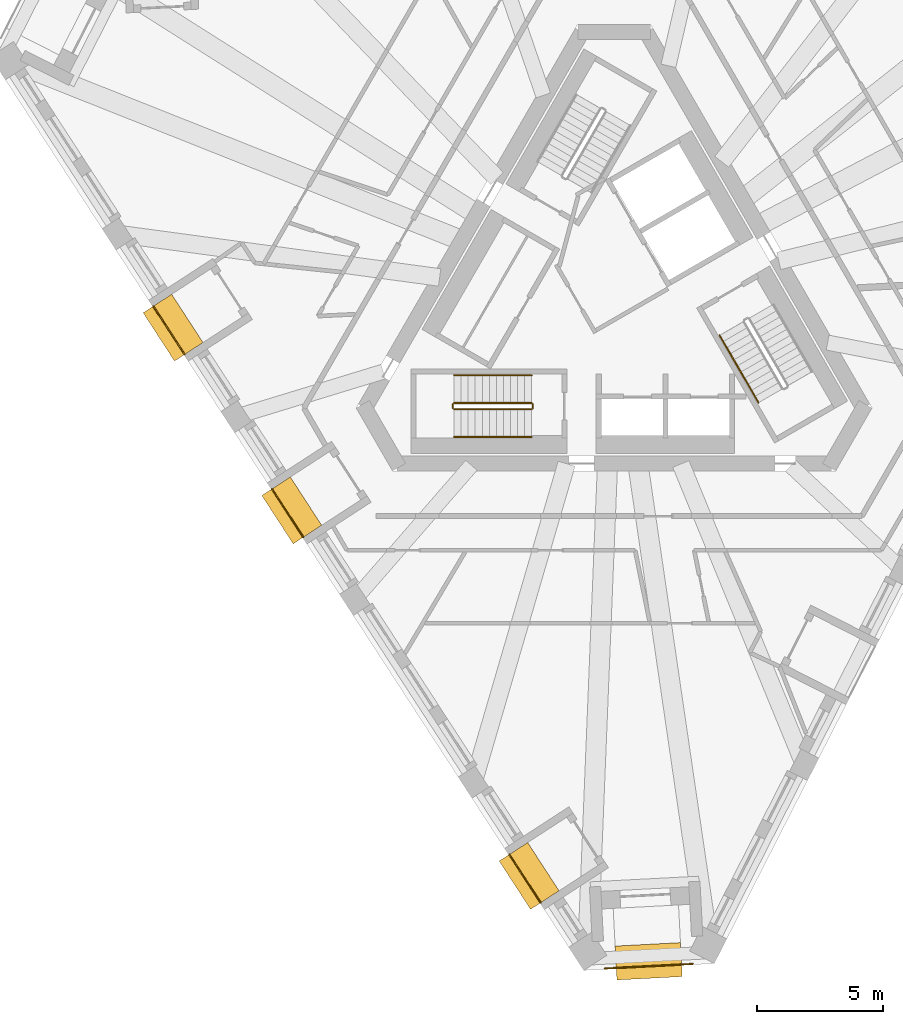
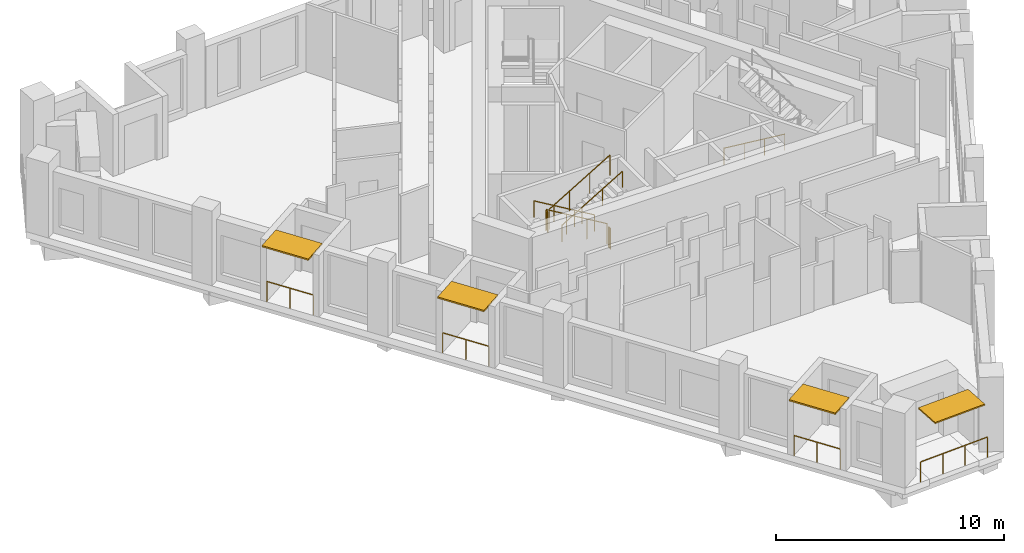
# One storey, part 9 of 12: 11 railings, 4 shading devices.
"""IFC4 building model written with IfcOpenShell, lengths in metres."""

from ifc_helpers import new_model, si_unit, direction, frame, origin, origin_2d, place, context, subcontext, project, spatial, rectangle, circle, extrude, material, layer, layer_set, type_object, element, save


model = new_model("IFC4")

# Units and contexts
model_context = context("Model", 3, precision=1e-05, world=origin(), true_north=direction((0.0, 1.0)))
body_context = subcontext(model_context, "Body", "Model", "MODEL_VIEW")
ifc_project = project(units=[si_unit("LENGTHUNIT", "METRE"), si_unit("AREAUNIT", "SQUARE_METRE"), si_unit("VOLUMEUNIT", "CUBIC_METRE"), si_unit("PLANEANGLEUNIT", "RADIAN"), si_unit("MASSUNIT", "GRAM", prefix="KILO")], contexts=[model_context])

# Site, building, storey
site_placement = place(None, origin())
site = spatial("IfcSite", under=ifc_project, at=site_placement, CompositionType="ELEMENT")
building_placement = place(site_placement, origin())
building = spatial("IfcBuilding", under=site, at=building_placement, Name="Tramontana Tower", CompositionType="ELEMENT")
storey_placement = place(building_placement, frame((0.0, 0.0, 302.39990234375)))
storey = spatial("IfcBuildingStorey", under=building, at=storey_placement, Name="L71", CompositionType="ELEMENT", Elevation=302.39990234375)

# Railings
ifc_material_1 = material(Name="Laminated glass balustrade", Category="glass")
railing_type_1 = type_object("IfcRailingType", Name="GD1 Loggia glass balustrade 1100", PredefinedType="BALUSTRADE", material=ifc_material_1)
railing_1_placement = place(storey_placement, frame((-18.313720703125, -0.20361328125, 0.0)))
element("IfcRailing", 1, at=railing_1_placement, inside=storey, type_object=railing_type_1, Name="Loggia balustrade L71 G7S0.4", PredefinedType="BALUSTRADE", context=body_context, shape_type="SweptSolid", body=[
    extrude(circle(Radius=0.02392578125, at=origin_2d()), frame((0.0, 0.0, 1.076171875), z_axis=(0.544706869801, -0.83862651162, 0.0), x_axis=(0.83862651162, 0.544706869801, 0.0)), (0.0, 0.0, 1.0), 2.286865234375),
    extrude(circle(Radius=0.02099609375, at=origin_2d()), origin(), (0.0, 0.0, 1.0), 1.052001953125),
    extrude(circle(Radius=0.02099609375, at=origin_2d()), frame((0.622802734375, -0.958984375, 0.0)), (0.0, 0.0, 1.0), 1.052001953125),
    extrude(circle(Radius=0.02099609375, at=origin_2d()), frame((1.24560546875, -1.917724609375, 0.0)), (0.0, 0.0, 1.0), 1.052001953125),
])
railing_2_placement = place(storey_placement, frame((-13.596923828125, -7.466552734375, 0.0)))
element("IfcRailing", 2, at=railing_2_placement, inside=storey, type_object=railing_type_1, Name="Loggia balustrade L71 G7S0.7", PredefinedType="BALUSTRADE", context=body_context, shape_type="SweptSolid", body=[
    extrude(circle(Radius=0.02392578125, at=origin_2d()), frame((0.0, 0.0, 1.076171875), z_axis=(0.544583011522, -0.838706947367, 0.0), x_axis=(0.838706947367, 0.544583011522, 0.0)), (0.0, 0.0, 1.0), 2.286865234375),
    extrude(circle(Radius=0.02099609375, at=origin_2d()), origin(), (0.0, 0.0, 1.0), 1.052001953125),
    extrude(circle(Radius=0.02099609375, at=origin_2d()), frame((0.62255859375, -0.958984375, 0.0)), (0.0, 0.0, 1.0), 1.052001953125),
    extrude(circle(Radius=0.02099609375, at=origin_2d()), frame((1.245361328125, -1.91796875, 0.0)), (0.0, 0.0, 1.0), 1.052001953125),
])
railing_3_placement = place(storey_placement, frame((-4.16357421875, -21.992919921875, 0.0)))
element("IfcRailing", 3, at=railing_3_placement, inside=storey, type_object=railing_type_1, Name="Loggia balustrade L71 G7S0.13", PredefinedType="BALUSTRADE", context=body_context, shape_type="SweptSolid", body=[
    extrude(circle(Radius=0.02392578125, at=origin_2d()), frame((0.0, 0.0, 1.076171875), z_axis=(0.544706869801, -0.83862651162, 0.0), x_axis=(0.83862651162, 0.544706869801, 0.0)), (0.0, 0.0, 1.0), 2.286865234375),
    extrude(circle(Radius=0.02099609375, at=origin_2d()), origin(), (0.0, 0.0, 1.0), 1.052001953125),
    extrude(circle(Radius=0.02099609375, at=origin_2d()), frame((0.622802734375, -0.958984375, 0.0)), (0.0, 0.0, 1.0), 1.052001953125),
    extrude(circle(Radius=0.02099609375, at=origin_2d()), frame((1.24560546875, -1.917724609375, 0.0)), (0.0, 0.0, 1.0), 1.052001953125),
])
railing_4_placement = place(storey_placement, frame((3.1328125, -26.342041015625, 0.0)))
element("IfcRailing", 4, at=railing_4_placement, inside=storey, type_object=railing_type_1, Name="Corner loggia balustrade L71 K71", PredefinedType="BALUSTRADE", context=body_context, shape_type="SweptSolid", body=[
    extrude(circle(Radius=0.02392578125, at=origin_2d()), frame((0.0, 0.0, 1.076171875), z_axis=(-0.998626871225, -0.0523867547, 0.0), x_axis=(0.0523867547, -0.998626871225, 0.0)), (0.0, 0.0, 1.0), 3.5),
    extrude(circle(Radius=0.02099609375, at=origin_2d()), origin(), (0.0, 0.0, 1.0), 1.052001953125),
    extrude(circle(Radius=0.02099609375, at=origin_2d()), frame((-1.1650390625, -0.06103515625, 0.0)), (0.0, 0.0, 1.0), 1.052001953125),
    extrude(circle(Radius=0.02099609375, at=origin_2d()), frame((-2.330078125, -0.122314453125, 0.0)), (0.0, 0.0, 1.0), 1.052001953125),
    extrude(circle(Radius=0.02099609375, at=origin_2d()), frame((-3.4951171875, -0.183349609375, 0.0)), (0.0, 0.0, 1.0), 1.052001953125),
])

# Shading devices
ifc_material_2 = material(Name="Precast concrete 60 MPa", Category="concrete")
ifc_layer_1 = layer(ifc_material_2, 0.070068359375)
ifc_layer_set_1 = layer_set([ifc_layer_1], Name="SS2 Stone sunshade blade 70")
shading_device_type_1 = type_object("IfcShadingDeviceType", Name="SS2 Stone sunshade blade 70", PredefinedType="USERDEFINED", material=ifc_layer_set_1)
shading_device_placement = place(storey_placement, frame((1.375244140625, -26.239013671875, 3.22998046875), z_axis=(0.0, 0.0, 1.0), x_axis=(-0.998629534755, -0.052335956243, 0.0)))
element("IfcShadingDevice", 5, at=shading_device_placement, inside=storey, type_object=shading_device_type_1, Name="Corner sunshade L71 K71", ObjectType="SUNSHADE", PredefinedType="USERDEFINED", context=body_context, shape_type="SweptSolid", body=[
    extrude(rectangle(XDim=2.60009765625, YDim=1.35009765625, at=origin_2d()), origin(), (0.0, 0.0, 1.0), 0.070068359375),
])
ifc_material_3 = material(Name="Precast concrete 60 MPa", Category="concrete")
ifc_layer_2 = layer(ifc_material_3, 0.080078125)
ifc_layer_set_2 = layer_set([ifc_layer_2], Name="SS3 Stone sunshade blade 80")
shading_device_type_2 = type_object("IfcShadingDeviceType", Name="SS3 Stone sunshade blade 80", PredefinedType="USERDEFINED", material=ifc_layer_set_2)
for number, where, z_axis, x_axis, name in (
    (6, (-17.52734375, -1.05615234375, 3.219970703125), (0.0, 0.0, 1.0), (0.544639035015, -0.838670567945, 0.0), "Sunshade L71 G7S0.4"),
    (7, (-12.810791015625, -8.3193359375, 3.219970703125), (0.0, 0.0, 1.0), (0.544639035015, -0.838670567945, 0.0), "Sunshade L71 G7S0.7"),
    (8, (-3.377197265625, -22.845458984375, 3.219970703125), (0.0, 0.0, 1.0), (0.544639035015, -0.838670567945, 0.0), "Sunshade L71 G7S0.13"),
):
    element("IfcShadingDevice", number, at=place(storey_placement, frame(where, z_axis=z_axis, x_axis=x_axis)), inside=storey, type_object=shading_device_type_2, Name=name, ObjectType="SUNSHADE", PredefinedType="USERDEFINED", context=body_context, shape_type="SweptSolid", body=[
        extrude(rectangle(XDim=2.286865234375, YDim=1.35009765625, at=origin_2d()), origin(), (0.0, 0.0, 1.0), 0.080078125),
    ])

# Railings
ifc_material_4 = material(Name="Painted steel", Category="steel")
railing_type_2 = type_object("IfcRailingType", Name="STAIR GUARD 1100", PredefinedType="GUARDRAIL", material=ifc_material_4)
railing_5_placement = place(storey_placement, frame((-3.280029296875, -4.050048828125, 0.166748046875)))
element("IfcRailing", 9, at=railing_5_placement, inside=storey, type_object=railing_type_2, Name="L71 ST2 stair guard 1", PredefinedType="GUARDRAIL", context=body_context, shape_type="SweptSolid", body=[
    extrude(circle(Radius=0.02392578125, at=origin_2d()), frame((0.0, 0.0, 1.076171875), z_axis=(-0.859308565015, 0.0, 0.511457515432), x_axis=(0.0, -1.0, 0.0)), (0.0, 0.0, 1.0), 3.58447265625),
    extrude(circle(Radius=0.02099609375, at=origin_2d()), origin(), (0.0, 0.0, 1.0), 1.052001953125),
    extrude(circle(Radius=0.02099609375, at=origin_2d()), frame((-1.026611328125, 0.0, 0.611083984375)), (0.0, 0.0, 1.0), 1.052001953125),
    extrude(circle(Radius=0.02099609375, at=origin_2d()), frame((-2.053466796875, 0.0, 1.22216796875)), (0.0, 0.0, 1.0), 1.052001953125),
    extrude(circle(Radius=0.02099609375, at=origin_2d()), frame((-3.080078125, 0.0, 1.833251953125)), (0.0, 0.0, 1.0), 1.052001953125),
])
railing_6_placement = place(storey_placement, frame((-6.360107421875, -4.300048828125, 2.166748046875)))
element("IfcRailing", 10, at=railing_6_placement, inside=storey, type_object=railing_type_2, Name="L71 ST2 stair guard 2", PredefinedType="GUARDRAIL", context=body_context, shape_type="SweptSolid", body=[
    extrude(circle(Radius=0.02392578125, at=origin_2d()), frame((0.0, 0.0, 1.076171875), z_axis=(0.859308565015, 0.0, 0.511457515432), x_axis=(0.0, 1.0, 0.0)), (0.0, 0.0, 1.0), 3.58447265625),
    extrude(circle(Radius=0.02099609375, at=origin_2d()), origin(), (0.0, 0.0, 1.0), 1.052001953125),
    extrude(circle(Radius=0.02099609375, at=origin_2d()), frame((1.026611328125, 0.0, 0.611083984375)), (0.0, 0.0, 1.0), 1.052001953125),
    extrude(circle(Radius=0.02099609375, at=origin_2d()), frame((2.053466796875, 0.0, 1.22216796875)), (0.0, 0.0, 1.0), 1.052001953125),
    extrude(circle(Radius=0.02099609375, at=origin_2d()), frame((3.080078125, 0.0, 1.833251953125)), (0.0, 0.0, 1.0), 1.052001953125),
])
for number, where, name in (
    (11, (-6.409912109375, -4.10009765625, 2.0), "L71 ST2 stair guard 3"),
    (12, (-3.22998046875, -4.10009765625, 0.0), "L71 ST2 stair guard 4"),
):
    element("IfcRailing", number, at=place(storey_placement, frame(where)), inside=storey, type_object=railing_type_2, Name=name, PredefinedType="GUARDRAIL", context=body_context, shape_type="SweptSolid", body=[
        extrude(circle(Radius=0.02392578125, at=origin_2d()), frame((0.0, 0.0, 1.076171875), z_axis=(0.0, -1.0, 0.0), x_axis=(1.0, 0.0, 0.0)), (0.0, 0.0, 1.0), 0.14990234375),
        extrude(circle(Radius=0.02099609375, at=origin_2d()), origin(), (0.0, 0.0, 1.0), 1.052001953125),
        extrude(circle(Radius=0.02099609375, at=origin_2d()), frame((0.0, -0.14990234375, 0.0)), (0.0, 0.0, 1.0), 1.052001953125),
    ])
ifc_material_5 = material(Name="Painted steel", Category="steel")
railing_type_3 = type_object("IfcRailingType", Name="STAIR HANDRAIL 900", PredefinedType="HANDRAIL", material=ifc_material_5)
railing_7_placement = place(storey_placement, frame((-3.280029296875, -2.949951171875, 0.166748046875)))
element("IfcRailing", 13, at=railing_7_placement, inside=storey, type_object=railing_type_3, Name="L71 ST2 stair handrail 1", PredefinedType="HANDRAIL", context=body_context, shape_type="SweptSolid", body=[
    extrude(circle(Radius=0.02392578125, at=origin_2d()), frame((0.0, 0.0, 0.8759765625), z_axis=(-0.859308565015, 0.0, 0.511457515432), x_axis=(0.0, -1.0, 0.0)), (0.0, 0.0, 1.0), 3.58447265625),
    extrude(circle(Radius=0.02099609375, at=origin_2d()), origin(), (0.0, 0.0, 1.0), 0.851806640625),
    extrude(circle(Radius=0.02099609375, at=origin_2d()), frame((-1.026611328125, 0.0, 0.611083984375)), (0.0, 0.0, 1.0), 0.851806640625),
    extrude(circle(Radius=0.02099609375, at=origin_2d()), frame((-2.053466796875, 0.0, 1.22216796875)), (0.0, 0.0, 1.0), 0.851806640625),
    extrude(circle(Radius=0.02099609375, at=origin_2d()), frame((-3.080078125, 0.0, 1.833251953125)), (0.0, 0.0, 1.0), 0.851806640625),
])
railing_8_placement = place(storey_placement, frame((-6.360107421875, -5.39990234375, 2.166748046875)))
element("IfcRailing", 14, at=railing_8_placement, inside=storey, type_object=railing_type_3, Name="L71 ST2 stair handrail 2", PredefinedType="HANDRAIL", context=body_context, shape_type="SweptSolid", body=[
    extrude(circle(Radius=0.02392578125, at=origin_2d()), frame((0.0, 0.0, 0.8759765625), z_axis=(0.859308565015, 0.0, 0.511457515432), x_axis=(0.0, 1.0, 0.0)), (0.0, 0.0, 1.0), 3.58447265625),
    extrude(circle(Radius=0.02099609375, at=origin_2d()), origin(), (0.0, 0.0, 1.0), 0.851806640625),
    extrude(circle(Radius=0.02099609375, at=origin_2d()), frame((1.026611328125, 0.0, 0.611083984375)), (0.0, 0.0, 1.0), 0.851806640625),
    extrude(circle(Radius=0.02099609375, at=origin_2d()), frame((2.053466796875, 0.0, 1.22216796875)), (0.0, 0.0, 1.0), 0.851806640625),
    extrude(circle(Radius=0.02099609375, at=origin_2d()), frame((3.080078125, 0.0, 1.833251953125)), (0.0, 0.0, 1.0), 0.851806640625),
])
railing_9_placement = place(storey_placement, frame((4.19482421875, -1.365478515625, 0.166748046875)))
element("IfcRailing", 15, at=railing_9_placement, inside=storey, type_object=railing_type_3, Name="L71 ST3 stair handrail 1", PredefinedType="HANDRAIL", context=body_context, shape_type="SweptSolid", body=[
    extrude(circle(Radius=0.02392578125, at=origin_2d()), frame((0.0, 0.0, 0.8759765625), z_axis=(0.429649414936, -0.744189839504, 0.511451721109), x_axis=(0.866029832698, 0.499992328818, 0.0)), (0.0, 0.0, 1.0), 3.58447265625),
    extrude(circle(Radius=0.02099609375, at=origin_2d()), origin(), (0.0, 0.0, 1.0), 0.851806640625),
    extrude(circle(Radius=0.02099609375, at=origin_2d()), frame((0.513427734375, -0.88916015625, 0.611083984375)), (0.0, 0.0, 1.0), 0.851806640625),
    extrude(circle(Radius=0.02099609375, at=origin_2d()), frame((1.026611328125, -1.7783203125, 1.22216796875)), (0.0, 0.0, 1.0), 0.851806640625),
    extrude(circle(Radius=0.02099609375, at=origin_2d()), frame((1.5400390625, -2.66748046875, 1.833251953125)), (0.0, 0.0, 1.0), 0.851806640625),
])

save(model, "model.ifc")
